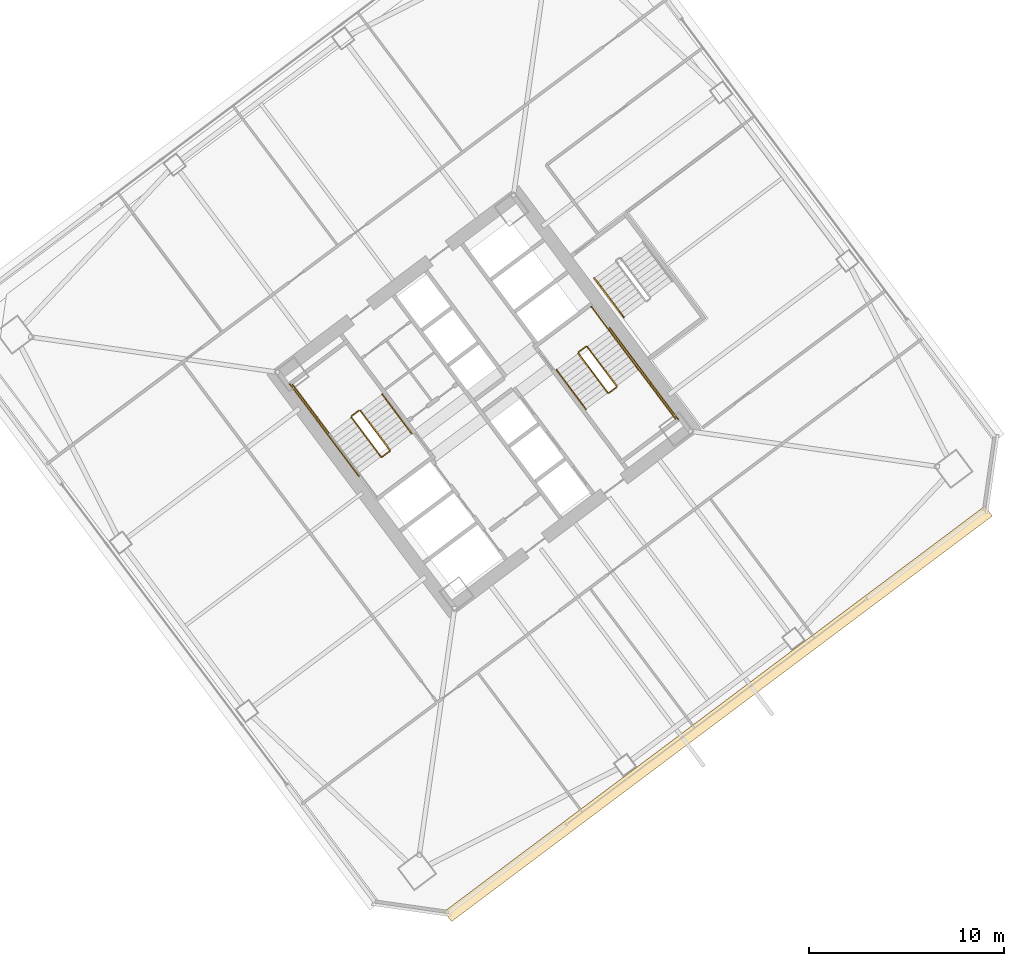
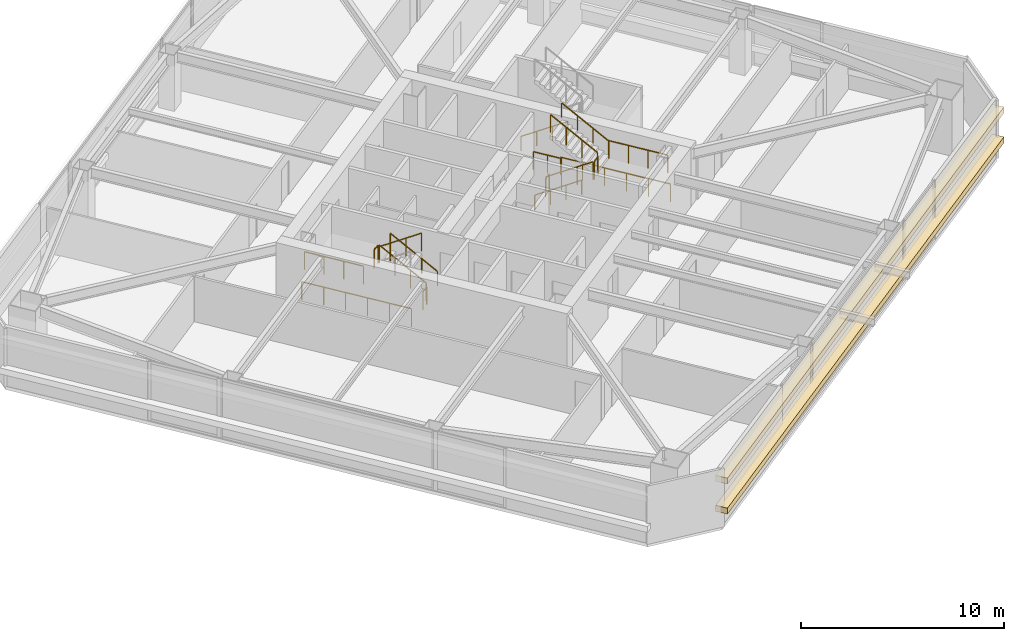
# One storey, part 41 of 44: 17 railings, 2 coverings.
"""IFC4 building model written with IfcOpenShell, lengths in metres."""

from ifc_helpers import new_model, si_unit, direction, frame, origin, origin_2d, place, context, subcontext, project, spatial, rectangle, extrude, material, layer, layer_set, type_object, element, save


model = new_model("IFC4")

# Units and contexts
model_context = context("Model", 3, precision=1e-05, world=origin(), true_north=direction((0.0, 1.0)))
body_context = subcontext(model_context, "Body", "Model", "MODEL_VIEW")
ifc_project = project(units=[si_unit("LENGTHUNIT", "METRE"), si_unit("AREAUNIT", "SQUARE_METRE"), si_unit("VOLUMEUNIT", "CUBIC_METRE"), si_unit("PLANEANGLEUNIT", "RADIAN"), si_unit("MASSUNIT", "GRAM", prefix="KILO")], contexts=[model_context])

# Site, building, storey
site_placement = place(None, origin())
site = spatial("IfcSite", under=ifc_project, at=site_placement, CompositionType="ELEMENT")
building_placement = place(site_placement, origin())
building = spatial("IfcBuilding", under=site, at=building_placement, Name="Tashvorn Skyway Center", CompositionType="ELEMENT")
storey_placement = place(building_placement, frame((0.0, 0.0, 74.300048828125)))
storey = spatial("IfcBuildingStorey", under=building, at=storey_placement, Name="L19", CompositionType="ELEMENT", Elevation=74.300048828125)

# Coverings
ifc_material_1 = material(Name="Perforated ceramic-coated bronze aluminium solar screen", Category="aluminium")
ifc_layer = layer(ifc_material_1, 0.85009765625)
ifc_layer_set = layer_set([ifc_layer], Name="Perforated ceramic-coated bronze aluminium solar screen")
covering_type = type_object("IfcCoveringType", Name="COV-SOLAR-BAND", PredefinedType="CLADDING", material=ifc_layer_set)
for number, where, z_axis, x_axis, name in (
    (1, (126.011962890625, 15.98388671875, 0.919921875), (0.0, 0.0, 1.0), (-0.799999996291, -0.600000004945, 0.0), "L19 Perforated Ceramic-Metal Solar Screen Louvre Band South 1"),
    (2, (126.011962890625, 15.98388671875, 2.7197265625), (0.0, 0.0, 1.0), (-0.799999996291, -0.600000004945, 0.0), "L19 Perforated Ceramic-Metal Solar Screen Louvre Band South 2"),
):
    element("IfcCovering", number, at=place(storey_placement, frame(where, z_axis=z_axis, x_axis=x_axis)), inside=storey, type_object=covering_type, Name=name, PredefinedType="CLADDING", context=body_context, shape_type="SweptSolid", body=[
        extrude(rectangle(XDim=34.679931640625, YDim=0.639892578125, at=origin_2d()), origin(), (0.0, 0.0, 1.0), 0.360107421875),
    ])

# Railings
ifc_material_2 = material(Name="Brushed stainless steel 316", Category="steel")
railing_type_1 = type_object("IfcRailingType", Name="RAIL-HAND-920", PredefinedType="HANDRAIL", material=ifc_material_2)
railing_1_placement = place(storey_placement, frame((110.2880859375, 30.365966796875, 0.177490234375)))
element("IfcRailing", 3, at=railing_1_placement, inside=storey, type_object=railing_type_1, Name="L19 ST-T2-1 stair handrail 1", PredefinedType="HANDRAIL", context=body_context, shape_type="SweptSolid", body=[
    extrude(rectangle(XDim=0.048095703125, YDim=0.048095703125, at=origin_2d()), frame((0.0, 0.0, 0.8759765625), z_axis=(-0.506801609611, 0.675680931896, 0.535357270211), x_axis=(-0.799976749893, -0.600030998891, 0.0)), (0.0, 0.0, 1.0), 2.98388671875),
    extrude(rectangle(XDim=0.0419921875, YDim=0.0419921875, at=origin_2d()), origin(), (0.0, 0.0, 1.0), 0.851806640625),
    extrude(rectangle(XDim=0.0419921875, YDim=0.0419921875, at=origin_2d()), frame((-0.504150390625, 0.672119140625, 0.532470703125)), (0.0, 0.0, 1.0), 0.851806640625),
    extrude(rectangle(XDim=0.0419921875, YDim=0.0419921875, at=origin_2d()), frame((-1.008056640625, 1.343994140625, 1.06494140625)), (0.0, 0.0, 1.0), 0.851806640625),
    extrude(rectangle(XDim=0.0419921875, YDim=0.0419921875, at=origin_2d()), frame((-1.51220703125, 2.01611328125, 1.597412109375)), (0.0, 0.0, 1.0), 0.851806640625),
])
railing_2_placement = place(storey_placement, frame((117.7119140625, 33.634033203125, 0.177490234375)))
element("IfcRailing", 4, at=railing_2_placement, inside=storey, type_object=railing_type_1, Name="L19 ST-T2-2 stair handrail 1", PredefinedType="HANDRAIL", context=body_context, shape_type="SweptSolid", body=[
    extrude(rectangle(XDim=0.048095703125, YDim=0.048095703125, at=origin_2d()), frame((0.0, 0.0, 0.8759765625), z_axis=(0.506801609611, -0.675680931896, 0.535357270211), x_axis=(0.799976749893, 0.600030998891, 0.0)), (0.0, 0.0, 1.0), 2.98388671875),
    extrude(rectangle(XDim=0.0419921875, YDim=0.0419921875, at=origin_2d()), origin(), (0.0, 0.0, 1.0), 0.851806640625),
    extrude(rectangle(XDim=0.0419921875, YDim=0.0419921875, at=origin_2d()), frame((0.504150390625, -0.672119140625, 0.532470703125)), (0.0, 0.0, 1.0), 0.851806640625),
    extrude(rectangle(XDim=0.0419921875, YDim=0.0419921875, at=origin_2d()), frame((1.008056640625, -1.343994140625, 1.06494140625)), (0.0, 0.0, 1.0), 0.851806640625),
    extrude(rectangle(XDim=0.0419921875, YDim=0.0419921875, at=origin_2d()), frame((1.51220703125, -2.01611328125, 1.597412109375)), (0.0, 0.0, 1.0), 0.851806640625),
])
railing_3_placement = place(storey_placement, frame((121.927978515625, 33.64599609375, 1.952392578125)))
element("IfcRailing", 5, at=railing_3_placement, inside=storey, type_object=railing_type_1, Name="L19 ST-T2-2 stair handrail 2", PredefinedType="HANDRAIL", context=body_context, shape_type="SweptSolid", body=[
    extrude(rectangle(XDim=0.048095703125, YDim=0.048095703125, at=origin_2d()), frame((0.0, 0.0, 0.8759765625), z_axis=(-0.506718600913, 0.675679348675, 0.535437836974), x_axis=(-0.800023250257, -0.599968998406, 0.0)), (0.0, 0.0, 1.0), 2.98388671875),
    extrude(rectangle(XDim=0.0419921875, YDim=0.0419921875, at=origin_2d()), origin(), (0.0, 0.0, 1.0), 0.851806640625),
    extrude(rectangle(XDim=0.0419921875, YDim=0.0419921875, at=origin_2d()), frame((-0.50390625, 0.672119140625, 0.532470703125)), (0.0, 0.0, 1.0), 0.851806640625),
    extrude(rectangle(XDim=0.0419921875, YDim=0.0419921875, at=origin_2d()), frame((-1.008056640625, 1.343994140625, 1.065185546875)), (0.0, 0.0, 1.0), 0.851806640625),
    extrude(rectangle(XDim=0.0419921875, YDim=0.0419921875, at=origin_2d()), frame((-1.511962890625, 2.01611328125, 1.59765625)), (0.0, 0.0, 1.0), 0.851806640625),
])
railing_4_placement = place(storey_placement, frame((119.656005859375, 38.342041015625, 0.177490234375)))
element("IfcRailing", 6, at=railing_4_placement, inside=storey, type_object=railing_type_1, Name="L19 ST-T2-3 stair handrail 1", PredefinedType="HANDRAIL", context=body_context, shape_type="SweptSolid", body=[
    extrude(rectangle(XDim=0.048095703125, YDim=0.048095703125, at=origin_2d()), frame((0.0, 0.0, 0.8759765625), z_axis=(0.506740800098, -0.675708949977, 0.535379469569), x_axis=(0.800023250257, 0.599968998406, 0.0)), (0.0, 0.0, 1.0), 2.983642578125),
    extrude(rectangle(XDim=0.0419921875, YDim=0.0419921875, at=origin_2d()), origin(), (0.0, 0.0, 1.0), 0.851806640625),
    extrude(rectangle(XDim=0.0419921875, YDim=0.0419921875, at=origin_2d()), frame((0.50390625, -0.672119140625, 0.532470703125)), (0.0, 0.0, 1.0), 0.851806640625),
    extrude(rectangle(XDim=0.0419921875, YDim=0.0419921875, at=origin_2d()), frame((1.008056640625, -1.343994140625, 1.06494140625)), (0.0, 0.0, 1.0), 0.851806640625),
    extrude(rectangle(XDim=0.0419921875, YDim=0.0419921875, at=origin_2d()), frame((1.511962890625, -2.01611328125, 1.597412109375)), (0.0, 0.0, 1.0), 0.851806640625),
])
ifc_material_3 = material(Name="Painted galvanized steel S355", Category="steel")
railing_type_2 = type_object("IfcRailingType", Name="RAIL-STGUARD-1100", PredefinedType="GUARDRAIL", material=ifc_material_3)
railing_5_placement = place(storey_placement, frame((109.16796875, 29.52587890625, 0.177490234375)))
element("IfcRailing", 7, at=railing_5_placement, inside=storey, type_object=railing_type_2, Name="L19 ST-T2-1 stair guard 1", PredefinedType="GUARDRAIL", context=body_context, shape_type="SweptSolid", body=[
    extrude(rectangle(XDim=0.048095703125, YDim=0.048095703125, at=origin_2d()), frame((0.0, 0.0, 1.076171875), z_axis=(-0.506740800098, 0.675708949977, 0.535379469569), x_axis=(-0.800023250257, -0.599968998406, 0.0)), (0.0, 0.0, 1.0), 2.983642578125),
    extrude(rectangle(XDim=0.0419921875, YDim=0.0419921875, at=origin_2d()), origin(), (0.0, 0.0, 1.0), 1.052001953125),
    extrude(rectangle(XDim=0.0419921875, YDim=0.0419921875, at=origin_2d()), frame((-0.50390625, 0.672119140625, 0.532470703125)), (0.0, 0.0, 1.0), 1.052001953125),
    extrude(rectangle(XDim=0.0419921875, YDim=0.0419921875, at=origin_2d()), frame((-1.008056640625, 1.343994140625, 1.06494140625)), (0.0, 0.0, 1.0), 1.052001953125),
    extrude(rectangle(XDim=0.0419921875, YDim=0.0419921875, at=origin_2d()), frame((-1.511962890625, 2.01611328125, 1.597412109375)), (0.0, 0.0, 1.0), 1.052001953125),
])
railing_6_placement = place(storey_placement, frame((107.5859375, 31.552001953125, 1.77490234375)))
element("IfcRailing", 8, at=railing_6_placement, inside=storey, type_object=railing_type_2, Name="L19 ST-T2-1 stair guard 2", PredefinedType="GUARDRAIL", context=body_context, shape_type="SweptSolid", body=[
    extrude(rectangle(XDim=0.048095703125, YDim=0.048095703125, at=origin_2d()), frame((0.0, 0.0, 1.076171875), z_axis=(-0.799938970639, -0.600081363861, 0.0), x_axis=(0.600081363861, -0.799938970639, 0.0)), (0.0, 0.0, 1.0), 0.47998046875),
    extrude(rectangle(XDim=0.0419921875, YDim=0.0419921875, at=origin_2d()), origin(), (0.0, 0.0, 1.0), 1.052001953125),
    extrude(rectangle(XDim=0.0419921875, YDim=0.0419921875, at=origin_2d()), frame((-0.384033203125, -0.2880859375, 0.0)), (0.0, 0.0, 1.0), 1.052001953125),
])
railing_7_placement = place(storey_placement, frame((106.072021484375, 30.35400390625, 1.77490234375)))
element("IfcRailing", 9, at=railing_7_placement, inside=storey, type_object=railing_type_2, Name="L19 ST-T2-1 stair guard 3", PredefinedType="GUARDRAIL", context=body_context, shape_type="SweptSolid", body=[
    extrude(rectangle(XDim=0.048095703125, YDim=0.048095703125, at=origin_2d()), frame((0.0, 0.0, 1.076171875), z_axis=(-0.599987638607, 0.800009270896, 0.0), x_axis=(-0.800009270896, -0.599987638607, 0.0)), (0.0, 0.0, 1.0), 3.16015625),
    extrude(rectangle(XDim=0.0419921875, YDim=0.0419921875, at=origin_2d()), origin(), (0.0, 0.0, 1.0), 1.052001953125),
    extrude(rectangle(XDim=0.0419921875, YDim=0.0419921875, at=origin_2d()), frame((-0.632080078125, 0.8427734375, 0.0)), (0.0, 0.0, 1.0), 1.052001953125),
    extrude(rectangle(XDim=0.0419921875, YDim=0.0419921875, at=origin_2d()), frame((-1.263916015625, 1.685302734375, 0.0)), (0.0, 0.0, 1.0), 1.052001953125),
    extrude(rectangle(XDim=0.0419921875, YDim=0.0419921875, at=origin_2d()), frame((-1.89599609375, 2.528076171875, 0.0)), (0.0, 0.0, 1.0), 1.052001953125),
])
railing_8_placement = place(storey_placement, frame((107.19189453125, 31.194091796875, 1.952392578125)))
element("IfcRailing", 10, at=railing_8_placement, inside=storey, type_object=railing_type_2, Name="L19 ST-T2-1 stair guard 4", PredefinedType="GUARDRAIL", context=body_context, shape_type="SweptSolid", body=[
    extrude(rectangle(XDim=0.048095703125, YDim=0.048095703125, at=origin_2d()), frame((0.0, 0.0, 1.076171875), z_axis=(0.506779409603, -0.675651334276, 0.53541563714), x_axis=(0.799976749893, 0.600030998891, 0.0)), (0.0, 0.0, 1.0), 2.98388671875),
    extrude(rectangle(XDim=0.0419921875, YDim=0.0419921875, at=origin_2d()), origin(), (0.0, 0.0, 1.0), 1.052001953125),
    extrude(rectangle(XDim=0.0419921875, YDim=0.0419921875, at=origin_2d()), frame((0.504150390625, -0.672119140625, 0.532470703125)), (0.0, 0.0, 1.0), 1.052001953125),
    extrude(rectangle(XDim=0.0419921875, YDim=0.0419921875, at=origin_2d()), frame((1.008056640625, -1.343994140625, 1.065185546875)), (0.0, 0.0, 1.0), 1.052001953125),
    extrude(rectangle(XDim=0.0419921875, YDim=0.0419921875, at=origin_2d()), frame((1.51220703125, -2.01611328125, 1.59765625)), (0.0, 0.0, 1.0), 1.052001953125),
])
railing_9_placement = place(storey_placement, frame((109.157958984375, 29.4560546875, 0.0)))
element("IfcRailing", 11, at=railing_9_placement, inside=storey, type_object=railing_type_2, Name="L19 ST-T2-1 stair guard 5", PredefinedType="GUARDRAIL", context=body_context, shape_type="SweptSolid", body=[
    extrude(rectangle(XDim=0.048095703125, YDim=0.048095703125, at=origin_2d()), frame((0.0, 0.0, 1.076171875), z_axis=(-0.799938970639, -0.600081363861, 0.0), x_axis=(0.600081363861, -0.799938970639, 0.0)), (0.0, 0.0, 1.0), 0.47998046875),
    extrude(rectangle(XDim=0.0419921875, YDim=0.0419921875, at=origin_2d()), origin(), (0.0, 0.0, 1.0), 1.052001953125),
    extrude(rectangle(XDim=0.0419921875, YDim=0.0419921875, at=origin_2d()), frame((-0.384033203125, -0.2880859375, 0.0)), (0.0, 0.0, 1.0), 1.052001953125),
])
railing_10_placement = place(storey_placement, frame((107.56396484375, 28.197998046875, 0.0)))
element("IfcRailing", 12, at=railing_10_placement, inside=storey, type_object=railing_type_2, Name="L19 ST-T2-1 stair guard 7", PredefinedType="GUARDRAIL", context=body_context, shape_type="SweptSolid", body=[
    extrude(rectangle(XDim=0.048095703125, YDim=0.048095703125, at=origin_2d()), frame((0.0, 0.0, 1.076171875), z_axis=(-0.6, 0.8, 0.0), x_axis=(-0.8, -0.6, 0.0)), (0.0, 0.0, 1.0), 5.880126953125),
    extrude(rectangle(XDim=0.0419921875, YDim=0.0419921875, at=origin_2d()), origin(), (0.0, 0.0, 1.0), 1.052001953125),
    extrude(rectangle(XDim=0.0419921875, YDim=0.0419921875, at=origin_2d()), frame((-0.70556640625, 0.94091796875, 0.0)), (0.0, 0.0, 1.0), 1.052001953125),
    extrude(rectangle(XDim=0.0419921875, YDim=0.0419921875, at=origin_2d()), frame((-1.4111328125, 1.881591796875, 0.0)), (0.0, 0.0, 1.0), 1.052001953125),
    extrude(rectangle(XDim=0.0419921875, YDim=0.0419921875, at=origin_2d()), frame((-2.116943359375, 2.822509765625, 0.0)), (0.0, 0.0, 1.0), 1.052001953125),
    extrude(rectangle(XDim=0.0419921875, YDim=0.0419921875, at=origin_2d()), frame((-2.822509765625, 3.76318359375, 0.0)), (0.0, 0.0, 1.0), 1.052001953125),
    extrude(rectangle(XDim=0.0419921875, YDim=0.0419921875, at=origin_2d()), frame((-3.528076171875, 4.7041015625, 0.0)), (0.0, 0.0, 1.0), 1.052001953125),
])
railing_11_placement = place(storey_placement, frame((118.83203125, 34.47412109375, 0.177490234375)))
element("IfcRailing", 13, at=railing_11_placement, inside=storey, type_object=railing_type_2, Name="L19 ST-T2-2 stair guard 1", PredefinedType="GUARDRAIL", context=body_context, shape_type="SweptSolid", body=[
    extrude(rectangle(XDim=0.048095703125, YDim=0.048095703125, at=origin_2d()), frame((0.0, 0.0, 1.076171875), z_axis=(0.506740800098, -0.675708949977, 0.535379469569), x_axis=(0.800023250257, 0.599968998406, 0.0)), (0.0, 0.0, 1.0), 2.983642578125),
    extrude(rectangle(XDim=0.0419921875, YDim=0.0419921875, at=origin_2d()), origin(), (0.0, 0.0, 1.0), 1.052001953125),
    extrude(rectangle(XDim=0.0419921875, YDim=0.0419921875, at=origin_2d()), frame((0.50390625, -0.672119140625, 0.532470703125)), (0.0, 0.0, 1.0), 1.052001953125),
    extrude(rectangle(XDim=0.0419921875, YDim=0.0419921875, at=origin_2d()), frame((1.008056640625, -1.343994140625, 1.06494140625)), (0.0, 0.0, 1.0), 1.052001953125),
    extrude(rectangle(XDim=0.0419921875, YDim=0.0419921875, at=origin_2d()), frame((1.511962890625, -2.01611328125, 1.597412109375)), (0.0, 0.0, 1.0), 1.052001953125),
])
railing_12_placement = place(storey_placement, frame((120.4140625, 32.447998046875, 1.77490234375)))
element("IfcRailing", 14, at=railing_12_placement, inside=storey, type_object=railing_type_2, Name="L19 ST-T2-2 stair guard 2", PredefinedType="GUARDRAIL", context=body_context, shape_type="SweptSolid", body=[
    extrude(rectangle(XDim=0.048095703125, YDim=0.048095703125, at=origin_2d()), frame((0.0, 0.0, 1.076171875), z_axis=(0.799938970639, 0.600081363861, 0.0), x_axis=(-0.600081363861, 0.799938970639, 0.0)), (0.0, 0.0, 1.0), 0.47998046875),
    extrude(rectangle(XDim=0.0419921875, YDim=0.0419921875, at=origin_2d()), origin(), (0.0, 0.0, 1.0), 1.052001953125),
    extrude(rectangle(XDim=0.0419921875, YDim=0.0419921875, at=origin_2d()), frame((0.384033203125, 0.2880859375, 0.0)), (0.0, 0.0, 1.0), 1.052001953125),
])
railing_13_placement = place(storey_placement, frame((121.927978515625, 33.64599609375, 1.77490234375)))
element("IfcRailing", 15, at=railing_13_placement, inside=storey, type_object=railing_type_2, Name="L19 ST-T2-2 stair guard 3", PredefinedType="GUARDRAIL", context=body_context, shape_type="SweptSolid", body=[
    extrude(rectangle(XDim=0.048095703125, YDim=0.048095703125, at=origin_2d()), frame((0.0, 0.0, 1.076171875), z_axis=(0.599987638607, -0.800009270896, 0.0), x_axis=(0.800009270896, 0.599987638607, 0.0)), (0.0, 0.0, 1.0), 3.16015625),
    extrude(rectangle(XDim=0.0419921875, YDim=0.0419921875, at=origin_2d()), origin(), (0.0, 0.0, 1.0), 1.052001953125),
    extrude(rectangle(XDim=0.0419921875, YDim=0.0419921875, at=origin_2d()), frame((0.632080078125, -0.8427734375, 0.0)), (0.0, 0.0, 1.0), 1.052001953125),
    extrude(rectangle(XDim=0.0419921875, YDim=0.0419921875, at=origin_2d()), frame((1.263916015625, -1.685302734375, 0.0)), (0.0, 0.0, 1.0), 1.052001953125),
    extrude(rectangle(XDim=0.0419921875, YDim=0.0419921875, at=origin_2d()), frame((1.89599609375, -2.528076171875, 0.0)), (0.0, 0.0, 1.0), 1.052001953125),
])
railing_14_placement = place(storey_placement, frame((120.80810546875, 32.805908203125, 1.952392578125)))
element("IfcRailing", 16, at=railing_14_placement, inside=storey, type_object=railing_type_2, Name="L19 ST-T2-2 stair guard 4", PredefinedType="GUARDRAIL", context=body_context, shape_type="SweptSolid", body=[
    extrude(rectangle(XDim=0.048095703125, YDim=0.048095703125, at=origin_2d()), frame((0.0, 0.0, 1.076171875), z_axis=(-0.506779409603, 0.675651334276, 0.53541563714), x_axis=(-0.799976749893, -0.600030998891, 0.0)), (0.0, 0.0, 1.0), 2.98388671875),
    extrude(rectangle(XDim=0.0419921875, YDim=0.0419921875, at=origin_2d()), origin(), (0.0, 0.0, 1.0), 1.052001953125),
    extrude(rectangle(XDim=0.0419921875, YDim=0.0419921875, at=origin_2d()), frame((-0.504150390625, 0.672119140625, 0.532470703125)), (0.0, 0.0, 1.0), 1.052001953125),
    extrude(rectangle(XDim=0.0419921875, YDim=0.0419921875, at=origin_2d()), frame((-1.008056640625, 1.343994140625, 1.065185546875)), (0.0, 0.0, 1.0), 1.052001953125),
    extrude(rectangle(XDim=0.0419921875, YDim=0.0419921875, at=origin_2d()), frame((-1.51220703125, 2.01611328125, 1.59765625)), (0.0, 0.0, 1.0), 1.052001953125),
])
railing_15_placement = place(storey_placement, frame((118.842041015625, 34.5439453125, 0.0)))
element("IfcRailing", 17, at=railing_15_placement, inside=storey, type_object=railing_type_2, Name="L19 ST-T2-2 stair guard 5", PredefinedType="GUARDRAIL", context=body_context, shape_type="SweptSolid", body=[
    extrude(rectangle(XDim=0.048095703125, YDim=0.048095703125, at=origin_2d()), frame((0.0, 0.0, 1.076171875), z_axis=(0.799938970639, 0.600081363861, 0.0), x_axis=(-0.600081363861, 0.799938970639, 0.0)), (0.0, 0.0, 1.0), 0.47998046875),
    extrude(rectangle(XDim=0.0419921875, YDim=0.0419921875, at=origin_2d()), origin(), (0.0, 0.0, 1.0), 1.052001953125),
    extrude(rectangle(XDim=0.0419921875, YDim=0.0419921875, at=origin_2d()), frame((0.384033203125, 0.2880859375, 0.0)), (0.0, 0.0, 1.0), 1.052001953125),
])
railing_16_placement = place(storey_placement, frame((119.50390625, 36.8779296875, 0.0)))
element("IfcRailing", 18, at=railing_16_placement, inside=storey, type_object=railing_type_2, Name="L19 ST-T2-2 stair guard 6", PredefinedType="GUARDRAIL", context=body_context, shape_type="SweptSolid", body=[
    extrude(rectangle(XDim=0.048095703125, YDim=0.048095703125, at=origin_2d()), frame((0.0, 0.0, 1.076171875), z_axis=(0.600102796382, -0.799922892393, 0.0), x_axis=(0.799922892393, 0.600102796382, 0.0)), (0.0, 0.0, 1.0), 1.52001953125),
    extrude(rectangle(XDim=0.0419921875, YDim=0.0419921875, at=origin_2d()), origin(), (0.0, 0.0, 1.0), 1.052001953125),
    extrude(rectangle(XDim=0.0419921875, YDim=0.0419921875, at=origin_2d()), frame((0.4560546875, -0.60791015625, 0.0)), (0.0, 0.0, 1.0), 1.052001953125),
    extrude(rectangle(XDim=0.0419921875, YDim=0.0419921875, at=origin_2d()), frame((0.912109375, -1.2158203125, 0.0)), (0.0, 0.0, 1.0), 1.052001953125),
])
railing_17_placement = place(storey_placement, frame((120.43603515625, 35.802001953125, 0.0)))
element("IfcRailing", 19, at=railing_17_placement, inside=storey, type_object=railing_type_2, Name="L19 ST-T2-2 stair guard 7", PredefinedType="GUARDRAIL", context=body_context, shape_type="SweptSolid", body=[
    extrude(rectangle(XDim=0.048095703125, YDim=0.048095703125, at=origin_2d()), frame((0.0, 0.0, 1.076171875), z_axis=(0.6, -0.8, 0.0), x_axis=(0.8, 0.6, 0.0)), (0.0, 0.0, 1.0), 5.880126953125),
    extrude(rectangle(XDim=0.0419921875, YDim=0.0419921875, at=origin_2d()), origin(), (0.0, 0.0, 1.0), 1.052001953125),
    extrude(rectangle(XDim=0.0419921875, YDim=0.0419921875, at=origin_2d()), frame((0.70556640625, -0.94091796875, 0.0)), (0.0, 0.0, 1.0), 1.052001953125),
    extrude(rectangle(XDim=0.0419921875, YDim=0.0419921875, at=origin_2d()), frame((1.4111328125, -1.881591796875, 0.0)), (0.0, 0.0, 1.0), 1.052001953125),
    extrude(rectangle(XDim=0.0419921875, YDim=0.0419921875, at=origin_2d()), frame((2.116943359375, -2.822509765625, 0.0)), (0.0, 0.0, 1.0), 1.052001953125),
    extrude(rectangle(XDim=0.0419921875, YDim=0.0419921875, at=origin_2d()), frame((2.822509765625, -3.76318359375, 0.0)), (0.0, 0.0, 1.0), 1.052001953125),
    extrude(rectangle(XDim=0.0419921875, YDim=0.0419921875, at=origin_2d()), frame((3.528076171875, -4.7041015625, 0.0)), (0.0, 0.0, 1.0), 1.052001953125),
])

save(model, "model.ifc")
